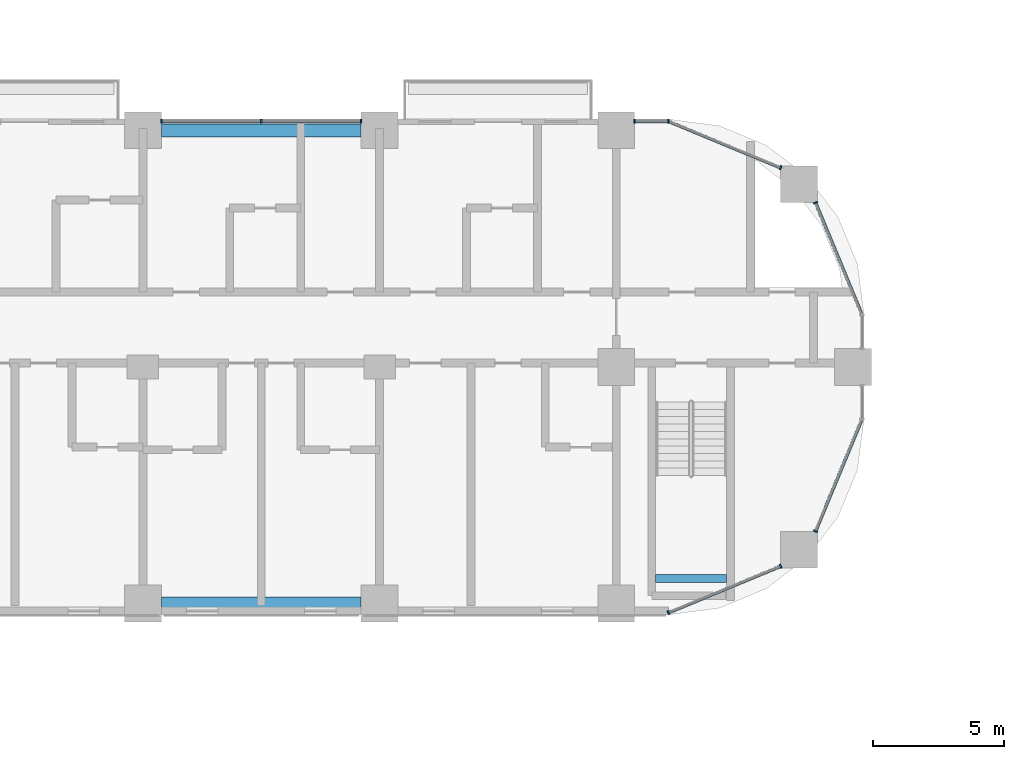
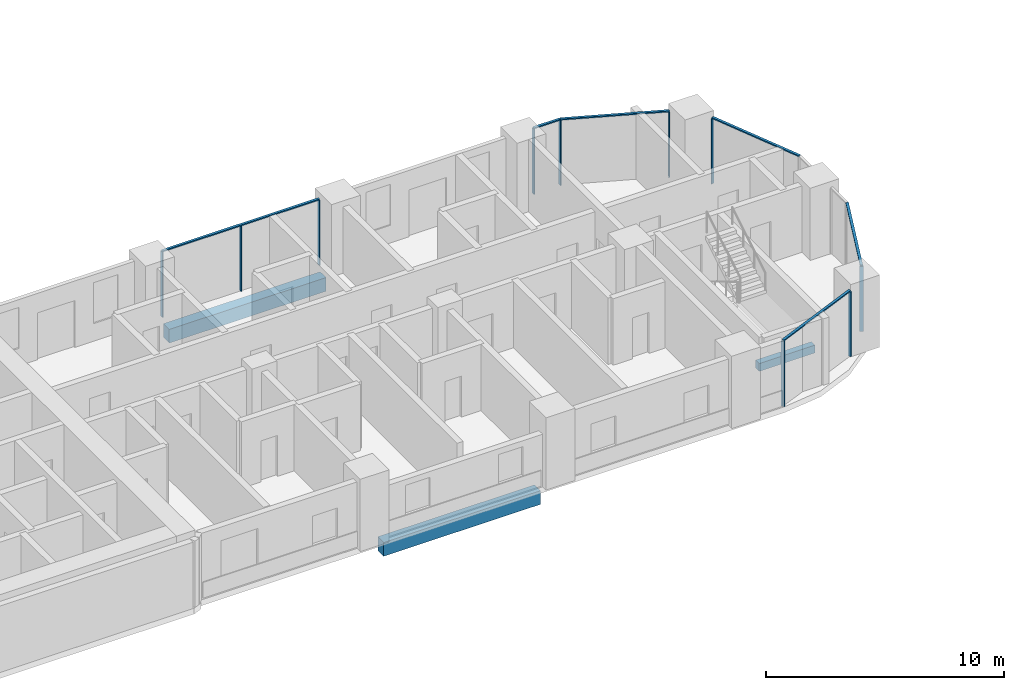
# One storey, part 3 of 30: 16 members, 3 beams, 6 elements without a shape of their own.
"""IFC4 building model written with IfcOpenShell, lengths in metres."""

from ifc_helpers import new_model, si_unit, direction, frame, origin, origin_2d, place, context, subcontext, project, spatial, rectangle, extrude, material, material_profile, profile_set, type_object, element, aggregate, save


model = new_model("IFC4")

# Units and contexts
model_context = context("Model", 3, precision=1e-05, world=origin(), true_north=direction((0.0, 1.0)))
body_context = subcontext(model_context, "Body", "Model", "MODEL_VIEW")
ifc_project = project(units=[si_unit("LENGTHUNIT", "METRE"), si_unit("AREAUNIT", "SQUARE_METRE"), si_unit("VOLUMEUNIT", "CUBIC_METRE"), si_unit("PLANEANGLEUNIT", "RADIAN"), si_unit("MASSUNIT", "GRAM", prefix="KILO")], contexts=[model_context])

# Site, building, storey
site_placement = place(None, origin())
site = spatial("IfcSite", under=ifc_project, at=site_placement, CompositionType="ELEMENT")
building_placement = place(site_placement, origin())
building = spatial("IfcBuilding", under=site, at=building_placement, Name="Ogive Portal Towers", CompositionType="ELEMENT")
storey_placement = place(building_placement, frame((0.0, 0.0, 37.199951171875)))
storey = spatial("IfcBuildingStorey", under=building, at=storey_placement, Name="L07", CompositionType="ELEMENT", Elevation=37.199951171875)

# Beam
ifc_material_1 = material(Name="Concrete C40/50", Category="concrete")
ifc_material_profile_1 = material_profile(ifc_material_1, rectangle(XDim=0.300048828125, YDim=0.39990234375, at=origin_2d()), Name="RC 300x400")
ifc_profile_set_1 = profile_set([ifc_material_profile_1], Name="Concrete C40/50")
beam_type_1 = type_object("IfcBeamType", Name="BEAM RC 300x400", PredefinedType="BEAM", material=ifc_profile_set_1)
beam_placement = place(storey_placement, frame((87.0, 22.449951171875, 1.449951171875), z_axis=(1.0, 0.0, 0.0), x_axis=(0.0, 1.0, 0.0)))
element("IfcBeam", 1, at=beam_placement, inside=storey, type_object=beam_type_1, Name="Landing beam L07", PredefinedType="BEAM", context=body_context, shape_type="SweptSolid", body=[
    extrude(rectangle(XDim=0.300048828125, YDim=0.39990234375, at=origin_2d()), origin(), (0.0, 0.0, 1.0), 2.699951171875),
])

# Curtain wall, members
ifc_material_2 = material(Name="Glass, clear low-iron insulated glazing", Category="glass")
curtain_wall_type = type_object("IfcCurtainWallType", Name="CW FRONT RIBBON 4500", PredefinedType="NOTDEFINED", material=ifc_material_2)
curtain_wall_1_placement = place(storey_placement, origin())
curtain_wall_1 = element("IfcCurtainWall", 2, at=curtain_wall_1_placement, inside=storey, type_object=curtain_wall_type, Name="A:L07:f27:cw0", PredefinedType="NOTDEFINED")
ifc_material_3 = material(Name="Aluminium 6063 anodised", Category="aluminium")
ifc_material_profile_2 = material_profile(ifc_material_3, rectangle(XDim=0.159912109375, YDim=0.06005859375, at=origin_2d()), Name="AL 60x160")
ifc_profile_set_2 = profile_set([ifc_material_profile_2], Name="Aluminium 6063 anodised")
member_type_1 = type_object("IfcMemberType", Name="CW MULLION 60x160", PredefinedType="MULLION", material=ifc_profile_set_2)
member_1_placement = place(storey_placement, frame((87.484130859375, 39.844970703125, 0.0), z_axis=(0.0, 0.0, 1.0), x_axis=(0.0, -1.0, 0.0)))
member_1 = element("IfcMember", 3, at=member_1_placement, type_object=member_type_1, Name="mullion", PredefinedType="MULLION", context=body_context, shape_type="SweptSolid", body=[
    extrude(rectangle(XDim=0.159912109375, YDim=0.06005859375, at=origin_2d()), origin(), (0.0, 0.0, 1.0), 3.340087890625),
])
member_2_placement = place(storey_placement, frame((86.199951171875, 39.844970703125, 0.0), z_axis=(0.0, 0.0, 1.0), x_axis=(0.0, -1.0, 0.0)))
member_2 = element("IfcMember", 4, at=member_2_placement, type_object=member_type_1, Name="mullion", PredefinedType="MULLION", context=body_context, shape_type="SweptSolid", body=[
    extrude(rectangle(XDim=0.159912109375, YDim=0.06005859375, at=origin_2d()), origin(), (0.0, 0.0, 1.0), 3.340087890625),
])

curtain_wall_2_placement = place(storey_placement, origin())
curtain_wall_2 = element("IfcCurtainWall", 5, at=curtain_wall_2_placement, inside=storey, type_object=curtain_wall_type, Name="A:L07:f27:cw1", PredefinedType="NOTDEFINED")
member_3_placement = place(storey_placement, frame((75.800048828125, 39.844970703125, 0.0), z_axis=(0.0, 0.0, 1.0), x_axis=(0.0, -1.0, 0.0)))
member_3 = element("IfcMember", 6, at=member_3_placement, type_object=member_type_1, Name="mullion", PredefinedType="MULLION", context=body_context, shape_type="SweptSolid", body=[
    extrude(rectangle(XDim=0.159912109375, YDim=0.06005859375, at=origin_2d()), origin(), (0.0, 0.0, 1.0), 3.340087890625),
])
member_4_placement = place(storey_placement, frame((72.0, 39.844970703125, 0.0), z_axis=(0.0, 0.0, 1.0), x_axis=(0.0, -1.0, 0.0)))
member_4 = element("IfcMember", 7, at=member_4_placement, type_object=member_type_1, Name="mullion", PredefinedType="MULLION", context=body_context, shape_type="SweptSolid", body=[
    extrude(rectangle(XDim=0.159912109375, YDim=0.06005859375, at=origin_2d()), origin(), (0.0, 0.0, 1.0), 3.340087890625),
])
member_5_placement = place(storey_placement, frame((68.199951171875, 39.844970703125, 0.0), z_axis=(0.0, 0.0, 1.0), x_axis=(0.0, -1.0, 0.0)))
member_5 = element("IfcMember", 8, at=member_5_placement, type_object=member_type_1, Name="mullion", PredefinedType="MULLION", context=body_context, shape_type="SweptSolid", body=[
    extrude(rectangle(XDim=0.159912109375, YDim=0.06005859375, at=origin_2d()), origin(), (0.0, 0.0, 1.0), 3.340087890625),
])

curtain_wall_3_placement = place(storey_placement, origin())
curtain_wall_3 = element("IfcCurtainWall", 9, at=curtain_wall_3_placement, inside=storey, type_object=curtain_wall_type, Name="A:L07:f22:cwa~0", PredefinedType="NOTDEFINED")
member_6_placement = place(storey_placement, frame((87.484130859375, 21.155029296875, 0.0), z_axis=(0.0, 0.0, 1.0), x_axis=(-0.382683432365, 0.923879532511, 0.0)))
member_6 = element("IfcMember", 10, at=member_6_placement, type_object=member_type_1, Name="mullion", PredefinedType="MULLION", context=body_context, shape_type="SweptSolid", body=[
    extrude(rectangle(XDim=0.159912109375, YDim=0.06005859375, at=origin_2d()), origin(), (0.0, 0.0, 1.0), 3.340087890625),
])
member_7_placement = place(storey_placement, frame((91.75, 22.922119140625, 0.0), z_axis=(0.0, 0.0, 1.0), x_axis=(-0.382683432365, 0.923879532511, 0.0)))
member_7 = element("IfcMember", 11, at=member_7_placement, type_object=member_type_1, Name="mullion", PredefinedType="MULLION", context=body_context, shape_type="SweptSolid", body=[
    extrude(rectangle(XDim=0.159912109375, YDim=0.06005859375, at=origin_2d()), origin(), (0.0, 0.0, 1.0), 3.340087890625),
])

# Curtain wall, member
curtain_wall_4_placement = place(storey_placement, origin())
curtain_wall_4 = element("IfcCurtainWall", 12, at=curtain_wall_4_placement, inside=storey, type_object=curtain_wall_type, Name="A:L07:f22:cwa~1", PredefinedType="NOTDEFINED")
member_8_placement = place(storey_placement, frame((93.077880859375, 24.25, 0.0), z_axis=(0.0, 0.0, 1.0), x_axis=(-0.923879532511, 0.382683432365, 0.0)))
member_8 = element("IfcMember", 13, at=member_8_placement, type_object=member_type_1, Name="mullion", PredefinedType="MULLION", context=body_context, shape_type="SweptSolid", body=[
    extrude(rectangle(XDim=0.159912109375, YDim=0.06005859375, at=origin_2d()), origin(), (0.0, 0.0, 1.0), 3.340087890625),
])

curtain_wall_5_placement = place(storey_placement, origin())
curtain_wall_5 = element("IfcCurtainWall", 14, at=curtain_wall_5_placement, inside=storey, type_object=curtain_wall_type, Name="A:L07:f25:cwa~0", PredefinedType="NOTDEFINED")
member_9_placement = place(storey_placement, frame((93.077880859375, 36.75, 0.0), z_axis=(0.0, 0.0, 1.0), x_axis=(-0.923879532511, -0.382683432365, 0.0)))
member_9 = element("IfcMember", 15, at=member_9_placement, type_object=member_type_1, Name="mullion", PredefinedType="MULLION", context=body_context, shape_type="SweptSolid", body=[
    extrude(rectangle(XDim=0.159912109375, YDim=0.06005859375, at=origin_2d()), origin(), (0.0, 0.0, 1.0), 3.340087890625),
])

curtain_wall_6_placement = place(storey_placement, origin())
curtain_wall_6 = element("IfcCurtainWall", 16, at=curtain_wall_6_placement, inside=storey, type_object=curtain_wall_type, Name="A:L07:f25:cwa~1", PredefinedType="NOTDEFINED")
member_10_placement = place(storey_placement, frame((91.75, 38.077880859375, 0.0), z_axis=(0.0, 0.0, 1.0), x_axis=(-0.382683432365, -0.923879532511, 0.0)))
member_10 = element("IfcMember", 17, at=member_10_placement, type_object=member_type_1, Name="mullion", PredefinedType="MULLION", context=body_context, shape_type="SweptSolid", body=[
    extrude(rectangle(XDim=0.159912109375, YDim=0.06005859375, at=origin_2d()), origin(), (0.0, 0.0, 1.0), 3.340087890625),
])

# Member
ifc_material_profile_3 = material_profile(ifc_material_3, rectangle(XDim=0.1201171875, YDim=0.06005859375, at=origin_2d()), Name="AL 120x60")
ifc_profile_set_3 = profile_set([ifc_material_profile_3], Name="Aluminium 6063 anodised")
member_type_2 = type_object("IfcMemberType", Name="CW TRANSOM 60x120", PredefinedType="USERDEFINED", material=ifc_profile_set_3)
member_11_placement = place(storey_placement, frame((87.484130859375, 39.844970703125, 3.3701171875), z_axis=(-1.0, 0.0, 0.0), x_axis=(0.0, -1.0, 0.0)))
member_11 = element("IfcMember", 18, at=member_11_placement, type_object=member_type_2, Name="transom", ObjectType="TRANSOM", PredefinedType="USERDEFINED", context=body_context, shape_type="SweptSolid", body=[
    extrude(rectangle(XDim=0.1201171875, YDim=0.06005859375, at=origin_2d()), origin(), (0.0, 0.0, 1.0), 1.2841796875),
])

aggregate(curtain_wall_1, [member_11, member_1, member_2])

member_12_placement = place(storey_placement, frame((75.800048828125, 39.844970703125, 3.3701171875), z_axis=(-1.0, 0.0, 0.0), x_axis=(0.0, -1.0, 0.0)))
member_12 = element("IfcMember", 19, at=member_12_placement, type_object=member_type_2, Name="transom", ObjectType="TRANSOM", PredefinedType="USERDEFINED", context=body_context, shape_type="SweptSolid", body=[
    extrude(rectangle(XDim=0.1201171875, YDim=0.06005859375, at=origin_2d()), origin(), (0.0, 0.0, 1.0), 7.60009765625),
])

aggregate(curtain_wall_2, [member_12, member_3, member_4, member_5])

member_13_placement = place(storey_placement, frame((87.484130859375, 21.155029296875, 3.3701171875), z_axis=(0.923871186892, 0.38270357985, 0.0), x_axis=(-0.38270357985, 0.923871186892, 0.0)))
member_13 = element("IfcMember", 20, at=member_13_placement, type_object=member_type_2, Name="transom", ObjectType="TRANSOM", PredefinedType="USERDEFINED", context=body_context, shape_type="SweptSolid", body=[
    extrude(rectangle(XDim=0.1201171875, YDim=0.06005859375, at=origin_2d()), origin(), (0.0, 0.0, 1.0), 4.617431640625),
])

aggregate(curtain_wall_3, [member_13, member_6, member_7])

member_14_placement = place(storey_placement, frame((93.077880859375, 24.25, 3.3701171875), z_axis=(0.38270357985, 0.923871186892, 0.0), x_axis=(-0.923871186892, 0.38270357985, 0.0)))
member_14 = element("IfcMember", 21, at=member_14_placement, type_object=member_type_2, Name="transom", ObjectType="TRANSOM", PredefinedType="USERDEFINED", context=body_context, shape_type="SweptSolid", body=[
    extrude(rectangle(XDim=0.1201171875, YDim=0.06005859375, at=origin_2d()), origin(), (0.0, 0.0, 1.0), 4.617431640625),
])

aggregate(curtain_wall_4, [member_14, member_8])

member_15_placement = place(storey_placement, frame((94.844970703125, 32.484130859375, 3.3701171875), z_axis=(-0.38270357985, 0.923871186892, 0.0), x_axis=(-0.923871186892, -0.38270357985, 0.0)))
member_15 = element("IfcMember", 22, at=member_15_placement, type_object=member_type_2, Name="transom", ObjectType="TRANSOM", PredefinedType="USERDEFINED", context=body_context, shape_type="SweptSolid", body=[
    extrude(rectangle(XDim=0.1201171875, YDim=0.06005859375, at=origin_2d()), origin(), (0.0, 0.0, 1.0), 4.617431640625),
])

aggregate(curtain_wall_5, [member_15, member_9])

member_16_placement = place(storey_placement, frame((91.75, 38.077880859375, 3.3701171875), z_axis=(-0.923871186892, 0.38270357985, 0.0), x_axis=(-0.38270357985, -0.923871186892, 0.0)))
member_16 = element("IfcMember", 23, at=member_16_placement, type_object=member_type_2, Name="transom", ObjectType="TRANSOM", PredefinedType="USERDEFINED", context=body_context, shape_type="SweptSolid", body=[
    extrude(rectangle(XDim=0.1201171875, YDim=0.06005859375, at=origin_2d()), origin(), (0.0, 0.0, 1.0), 4.617431640625),
])

aggregate(curtain_wall_6, [member_16, member_10])

# Beams
ifc_material_profile_4 = material_profile(ifc_material_1, rectangle(XDim=0.5, YDim=0.699951171875, at=origin_2d()), Name="RC 500x700")
ifc_profile_set_4 = profile_set([ifc_material_profile_4], Name="Concrete C40/50")
beam_type_2 = type_object("IfcBeamType", Name="SPANDREL BEAM RC 500x700", PredefinedType="BEAM", material=ifc_profile_set_4)
for number, where, z_axis, x_axis, name in (
    (24, (75.800048828125, 21.5, -0.64990234375), (-1.0, 0.0, 0.0), (0.0, -1.0, 0.0), "Spandrel beam L07"),
    (25, (68.199951171875, 39.5, -0.64990234375), (1.0, 0.0, 0.0), (0.0, 1.0, 0.0), "Spandrel beam L07"),
):
    element("IfcBeam", number, at=place(storey_placement, frame(where, z_axis=z_axis, x_axis=x_axis)), inside=storey, type_object=beam_type_2, Name=name, PredefinedType="BEAM", context=body_context, shape_type="SweptSolid", body=[
        extrude(rectangle(XDim=0.5, YDim=0.699951171875, at=origin_2d()), origin(), (0.0, 0.0, 1.0), 7.60009765625),
    ])

save(model, "model.ifc")
